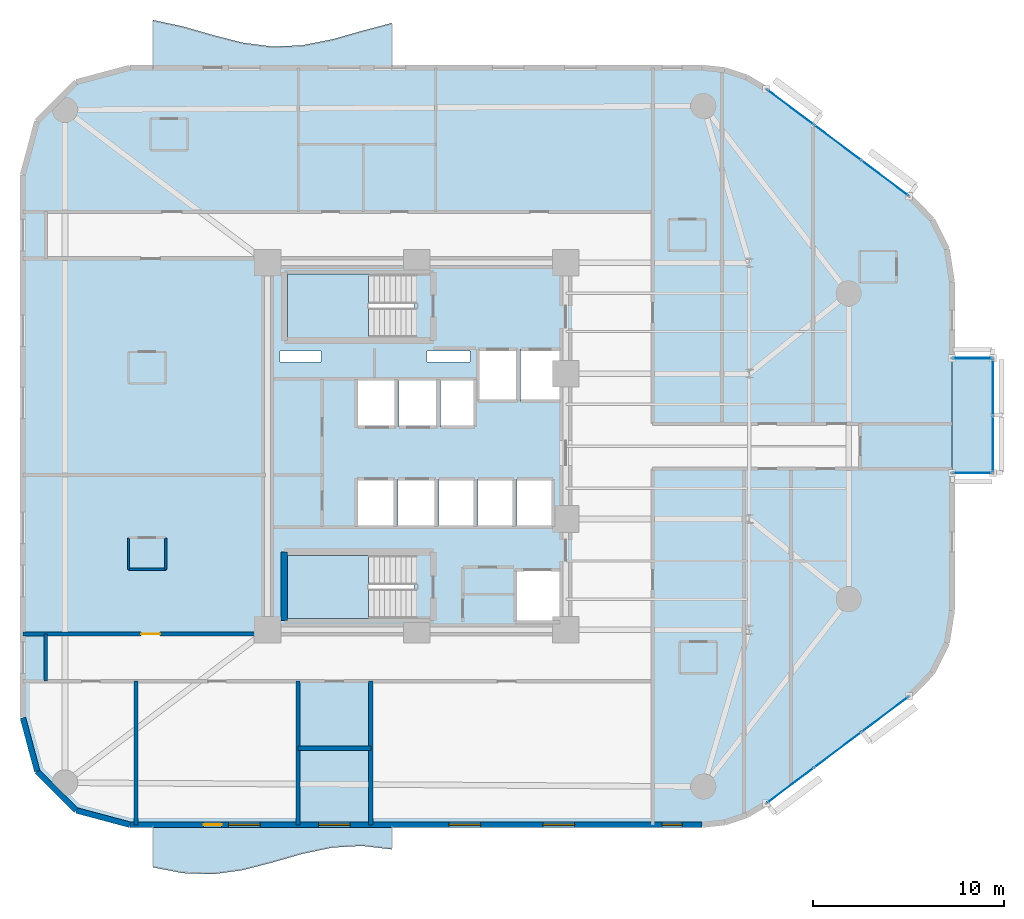
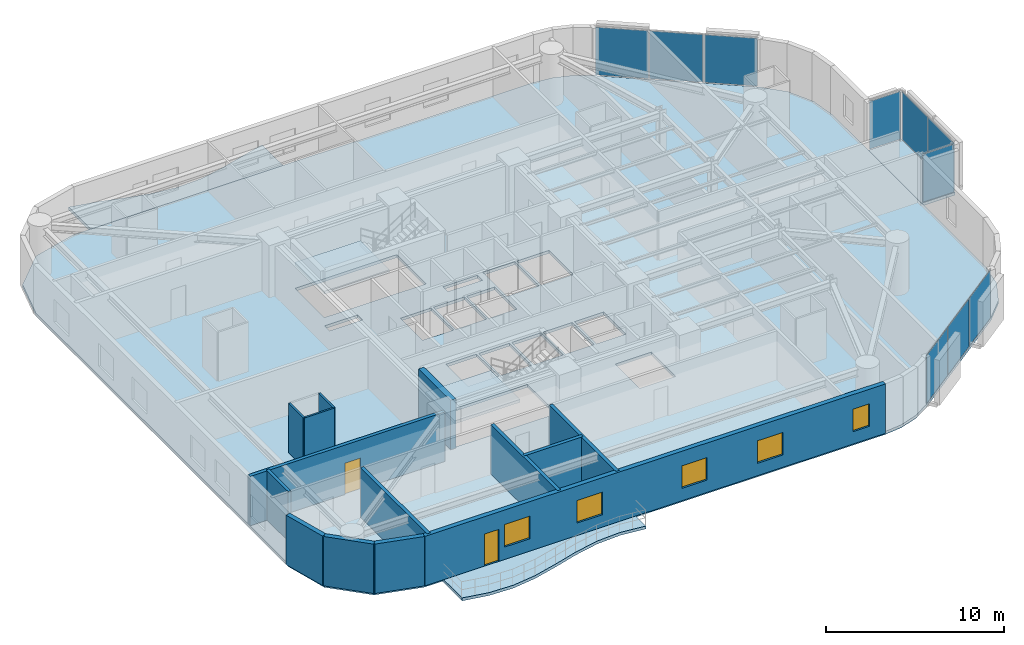
# One storey, part 7 of 14: 14 walls, 10 plates, 6 slabs, 5 windows, 2 doors, 7 openings, 7 elements without a shape of their own.
"""IFC4 building model written with IfcOpenShell, lengths in metres."""

import ifcopenshell
import ifcopenshell.guid

model = None  # the IFC model being written
_history = None  # IfcOwnerHistory: only IFC2X3 demands one
_inside = {}  # id of a spatial element -> (the spatial element, [elements in it])
_under = {}  # id of a project, library or spatial element -> (it, [spatial elements below it])
_declared = {}  # id of a project -> (the project, [libraries it declares])
_typed = {}  # id of a type object -> (the type object, [elements of that type])
_made_of = {}  # id of a material, layer set ... -> (it, [elements and type objects made of it])


def new_model(schema):
    """Start an empty IFC model of exactly this schema.

    Asked for "IFC4X3", IfcOpenShell would pick the latest addendum, in which some entities
    have other attributes; the version numbers below select the first issue.
    IFC2X3 requires an IfcOwnerHistory on every rooted entity: one is made here for all.
    """
    global model, _history
    if schema == "IFC4X3":
        model = ifcopenshell.file(schema_version=(4, 3, 0, 0))
    else:
        model = ifcopenshell.file(schema=schema)
    _inside.clear()
    _under.clear()
    _declared.clear()
    _typed.clear()
    _made_of.clear()
    _history = None
    if model.schema == "IFC2X3":
        org = make("IfcOrganization", Name="unknown")
        user = make(
            "IfcPersonAndOrganization",
            ThePerson=make("IfcPerson", FamilyName="unknown"),
            TheOrganization=org,
        )
        app = make(
            "IfcApplication",
            ApplicationDeveloper=org,
            Version="unknown",
            ApplicationFullName="unknown",
            ApplicationIdentifier="unknown",
        )
        _history = make(
            "IfcOwnerHistory",
            OwningUser=user,
            OwningApplication=app,
            ChangeAction="ADDED",
            CreationDate=0,
        )
    return model


def make(cls, **values):
    """One entity of the class cls with the attributes given. An attribute that is None is left unset."""
    return model.create_entity(
        cls, **{name: value for name, value in values.items() if value is not None}
    )


def rooted(cls, **values):
    """An entity with a GlobalId (a new one), such as an element, a storey or a relation."""
    return make(cls, GlobalId=ifcopenshell.guid.new(), OwnerHistory=_history, **values)


def si_unit(unit_type, name, prefix=None):
    """IfcSIUnit, for example si_unit("LENGTHUNIT", "METRE", prefix="MILLI")."""
    return make("IfcSIUnit", UnitType=unit_type, Prefix=prefix, Name=name)


def assignment(units):
    """IfcUnitAssignment: the units of a project."""
    return None if units is None else make("IfcUnitAssignment", Units=units)


def point(xyz):
    """IfcCartesianPoint."""
    return None if xyz is None else make("IfcCartesianPoint", Coordinates=xyz)


def direction(xyz):
    """IfcDirection."""
    return None if xyz is None else make("IfcDirection", DirectionRatios=xyz)


def frame(location, z_axis=None, x_axis=None):
    """IfcAxis2Placement3D, a coordinate frame: its origin and axes. An axis left out is left unset."""
    return make(
        "IfcAxis2Placement3D",
        Location=point(location),
        Axis=direction(z_axis),
        RefDirection=direction(x_axis),
    )


def frame_2d(location, x_axis=None):
    """IfcAxis2Placement2D, a coordinate frame in the plane: its origin and x axis."""
    return make(
        "IfcAxis2Placement2D", Location=point(location), RefDirection=direction(x_axis)
    )


def origin():
    """The frame at (0, 0, 0) with its axes left unset."""
    return frame((0.0, 0.0, 0.0))


def origin_2d():
    """The frame at (0, 0) in the plane with its x axis left unset."""
    return frame_2d((0.0, 0.0))


def place(relative_to, where):
    """IfcLocalPlacement: puts the frame where relative to a parent placement (None: the world)."""
    return make(
        "IfcLocalPlacement", PlacementRelTo=relative_to, RelativePlacement=where
    )


def context(
    kind, dimensions, precision=None, world=None, true_north=None, identifier=None
):
    """IfcGeometricRepresentationContext, for example the 3D "Model" context."""
    return make(
        "IfcGeometricRepresentationContext",
        ContextIdentifier=identifier,
        ContextType=kind,
        CoordinateSpaceDimension=dimensions,
        Precision=precision,
        WorldCoordinateSystem=world,
        TrueNorth=true_north,
    )


def subcontext(parent, identifier, kind, view, scale=None):
    """IfcGeometricRepresentationSubContext, for example "Body" below "Model"."""
    return make(
        "IfcGeometricRepresentationSubContext",
        ContextIdentifier=identifier,
        ContextType=kind,
        ParentContext=parent,
        TargetScale=scale,
        TargetView=view,
    )


def project(units=None, contexts=None):
    """IfcProject with its units and contexts."""
    return rooted(
        "IfcProject",
        Name="project",
        RepresentationContexts=contexts,
        UnitsInContext=assignment(units),
    )


def spatial(cls, under=None, at=None, **own):
    """A site, building, storey or space (cls), placed at a placement, below another one or the project."""
    s = rooted(cls, ObjectPlacement=at, **own)
    if under is not None:
        _under.setdefault(under.id(), (under, []))[1].append(s)
    return s


def polyline(points):
    """IfcPolyline through the points."""
    return make("IfcPolyline", Points=[point(p) for p in points])


def profile(cls, at=None, kind="AREA", **sizes):
    """A parametric profile (cls). Its sizes go by their IFC names, for example OverallWidth=200.0."""
    return make(cls, ProfileType=kind, Position=at, **sizes)


def rectangle(**sizes):
    """IfcRectangleProfileDef."""
    return profile("IfcRectangleProfileDef", **sizes)


def outline(outer, holes=None, kind="AREA"):
    """IfcArbitraryClosedProfileDef: a profile drawn as a closed curve; with holes, ...WithVoids."""
    if holes is None:
        return make("IfcArbitraryClosedProfileDef", ProfileType=kind, OuterCurve=outer)
    return make(
        "IfcArbitraryProfileDefWithVoids",
        ProfileType=kind,
        OuterCurve=outer,
        InnerCurves=holes,
    )


def extrude(swept, where, along, depth):
    """IfcExtrudedAreaSolid: the profile swept, set in the frame where, extruded along a direction by depth."""
    return make(
        "IfcExtrudedAreaSolid",
        SweptArea=swept,
        Position=where,
        ExtrudedDirection=direction(along),
        Depth=depth,
    )


def shape(context_of_items, identifier, shape_type, items):
    """IfcShapeRepresentation: the items that make up one representation, for example the "Body"."""
    return make(
        "IfcShapeRepresentation",
        ContextOfItems=context_of_items,
        RepresentationIdentifier=identifier,
        RepresentationType=shape_type,
        Items=items,
    )


def material(Name=None, Category=None):
    """IfcMaterial."""
    return make("IfcMaterial", Name=Name, Category=Category)


def layer(
    of_material, thickness, ventilated=None, Name=None, Category=None, Priority=None
):
    """IfcMaterialLayer: one layer of a wall or slab, of a material (None: an air gap)."""
    return make(
        "IfcMaterialLayer",
        Material=of_material,
        LayerThickness=thickness,
        IsVentilated=ventilated,
        Name=Name,
        Category=Category,
        Priority=Priority,
    )


def layer_set(layers, Name=None):
    """IfcMaterialLayerSet."""
    return make("IfcMaterialLayerSet", MaterialLayers=layers, LayerSetName=Name)


def made_of(thing, what):
    """Note that an element or type object is made of a material, layer set ...; save() writes the relation."""
    if what is not None:
        _made_of.setdefault(what.id(), (what, []))[1].append(thing)
    return thing


def type_object(cls, material=None, **own):
    """A type object (cls), such as IfcWallType, which elements share."""
    return made_of(rooted(cls, **own), material)


def element(
    cls,
    number,
    at=None,
    inside=None,
    cuts=None,
    type_object=None,
    material=None,
    context=None,
    identifier="Body",
    shape_type=None,
    held_by="IfcProductDefinitionShape",
    body=None,
    shapes=None,
    **own,
):
    """One element of the class cls, such as IfcWall. Its Tag is "e" and its number.

    at: its placement. inside: the storey or other place that contains it. cuts: it is an
    opening in that element (IfcRelVoidsElement). A single representation is given by context,
    identifier, shape_type and body (its items); several are given by shapes. held_by: the class
    of the entity that holds the representations. save() writes the other relations.
    """
    e = rooted(cls, Tag="e%d" % number, ObjectPlacement=at, **own)
    if body is not None:
        shapes = [shape(context, identifier, shape_type, body)]
    if shapes is not None:
        e.Representation = make(held_by, Representations=shapes)
    if inside is not None:
        _inside.setdefault(inside.id(), (inside, []))[1].append(e)
    if cuts is not None:
        rooted(
            "IfcRelVoidsElement", RelatingBuildingElement=cuts, RelatedOpeningElement=e
        )
    if type_object is not None:
        _typed.setdefault(type_object.id(), (type_object, []))[1].append(e)
    return made_of(e, material)


def fill(opening, filler):
    """IfcRelFillsElement: the door or window that sits in an opening."""
    return rooted(
        "IfcRelFillsElement",
        RelatingOpeningElement=opening,
        RelatedBuildingElement=filler,
    )


def aggregate(whole, parts):
    """IfcRelAggregates: a whole, such as a stair, and the parts it consists of."""
    return rooted("IfcRelAggregates", RelatingObject=whole, RelatedObjects=parts)


def save(model, path):
    """Write the relations noted so far, then the file.

    IfcRelAggregates (storeys below a building ...), IfcRelContainedInSpatialStructure (elements
    in a storey), IfcRelDefinesByType, IfcRelAssociatesMaterial and IfcRelDeclares: one each for
    every whole, place, type object, material and project.
    """
    for whole, parts in _under.values():
        aggregate(whole, parts)
    for where, things in _inside.values():
        rooted(
            "IfcRelContainedInSpatialStructure",
            RelatedElements=things,
            RelatingStructure=where,
        )
    for kind, things in _typed.values():
        rooted("IfcRelDefinesByType", RelatedObjects=things, RelatingType=kind)
    for what, things in _made_of.values():
        rooted("IfcRelAssociatesMaterial", RelatedObjects=things, RelatingMaterial=what)
    for by, libraries in _declared.values():
        rooted("IfcRelDeclares", RelatingContext=by, RelatedDefinitions=libraries)
    model.write(path)


model = new_model("IFC4")

# Units and contexts
model_context = context("Model", 3, precision=1e-05, world=origin(), true_north=direction((0.0, 1.0)))
body_context = subcontext(model_context, "Body", "Model", "MODEL_VIEW")
ifc_project = project(units=[si_unit("LENGTHUNIT", "METRE"), si_unit("AREAUNIT", "SQUARE_METRE"), si_unit("VOLUMEUNIT", "CUBIC_METRE"), si_unit("PLANEANGLEUNIT", "RADIAN"), si_unit("MASSUNIT", "GRAM", prefix="KILO")], contexts=[model_context])

# Site, building, storey
site_placement = place(None, origin())
site = spatial("IfcSite", under=ifc_project, at=site_placement, CompositionType="ELEMENT")
building_placement = place(site_placement, origin())
building = spatial("IfcBuilding", under=site, at=building_placement, Name="An Khanh Terracotta Commons", CompositionType="ELEMENT")
storey_placement = place(building_placement, frame((0.0, 0.0, 93.5)))
storey = spatial("IfcBuildingStorey", under=building, at=storey_placement, Name="L24", CompositionType="ELEMENT", Elevation=93.5)

# Curtain wall, plates
ifc_material_1 = material(Name="Anodised Aluminium 6063-T6", Category="aluminium")
ifc_layer_1 = layer(ifc_material_1, 0.199951171875, Name="Anodised Aluminium 6063-T6")
ifc_layer_set_1 = layer_set([ifc_layer_1], Name="Anodised Aluminium 6063-T6")
curtain_wall_type_1 = type_object("IfcCurtainWallType", Name="CW-SYS-02", PredefinedType="USERDEFINED", material=ifc_layer_set_1)
curtain_wall_1_placement = place(storey_placement, origin())
curtain_wall_1 = element("IfcCurtainWall", 1, at=curtain_wall_1_placement, inside=storey, type_object=curtain_wall_type_1, Name="L24 CW-02 Unitised Curtain Wall CW-L24-08", ObjectType="UNITISED CURTAIN WALL", PredefinedType="USERDEFINED")
ifc_material_2 = material(Name="Double Low-E Solar Control Glazing", Category="glass")
ifc_layer_2 = layer(ifc_material_2, 0.028076171875, Name="Double Low-E Solar Control Glazing")
ifc_layer_set_2 = layer_set([ifc_layer_2], Name="Double Low-E Solar Control Glazing")
plate_type_1 = type_object("IfcPlateType", Name="CWP-IGU-28", PredefinedType="CURTAIN_PANEL", material=ifc_layer_set_2)
plate_1_placement = place(storey_placement, frame((48.951416015625, 6.263916015625, 0.06005859375), z_axis=(0.0, 0.0, 1.0), x_axis=(0.800012856594, 0.599982857492, 0.0)))
plate_1 = element("IfcPlate", 2, at=plate_1_placement, type_object=plate_type_1, Name="CW-02 panel 1.1", PredefinedType="CURTAIN_PANEL", context=body_context, shape_type="SweptSolid", body=[
    extrude(rectangle(XDim=3.006103515625, YDim=0.028076171875, at=origin_2d()), origin(), (0.0, 0.0, 1.0), 3.280029296875),
])
plate_2_placement = place(storey_placement, frame((51.426513671875, 8.1201171875, 0.06005859375), z_axis=(0.0, 0.0, 1.0), x_axis=(0.800012856594, 0.599982857492, 0.0)))
plate_2 = element("IfcPlate", 3, at=plate_2_placement, type_object=plate_type_1, Name="CW-02 panel 2.1", PredefinedType="CURTAIN_PANEL", context=body_context, shape_type="SweptSolid", body=[
    extrude(rectangle(XDim=3.041259765625, YDim=0.028076171875, at=origin_2d()), origin(), (0.0, 0.0, 1.0), 3.280029296875),
])
plate_3_placement = place(storey_placement, frame((53.901611328125, 9.97607421875, 0.06005859375), z_axis=(0.0, 0.0, 1.0), x_axis=(0.800012856594, 0.599982857492, 0.0)))
plate_3 = element("IfcPlate", 4, at=plate_3_placement, type_object=plate_type_1, Name="CW-02 panel 3.1", PredefinedType="CURTAIN_PANEL", context=body_context, shape_type="SweptSolid", body=[
    extrude(rectangle(XDim=3.006103515625, YDim=0.028076171875, at=origin_2d()), origin(), (0.0, 0.0, 1.0), 3.280029296875),
])
aggregate(curtain_wall_1, [plate_1, plate_2, plate_3])

curtain_wall_2_placement = place(storey_placement, origin())
curtain_wall_2 = element("IfcCurtainWall", 5, at=curtain_wall_2_placement, inside=storey, type_object=curtain_wall_type_1, Name="L24 CW-02 Unitised Curtain Wall CW-L24-16", ObjectType="UNITISED CURTAIN WALL", PredefinedType="USERDEFINED")
plate_4_placement = place(storey_placement, frame((53.901611328125, 38.02392578125, 0.06005859375), z_axis=(0.0, 0.0, 1.0), x_axis=(-0.800012856594, 0.599982857492, 0.0)))
plate_4 = element("IfcPlate", 6, at=plate_4_placement, type_object=plate_type_1, Name="CW-02 panel 1.1", PredefinedType="CURTAIN_PANEL", context=body_context, shape_type="SweptSolid", body=[
    extrude(rectangle(XDim=3.006103515625, YDim=0.028076171875, at=origin_2d()), origin(), (0.0, 0.0, 1.0), 3.280029296875),
])
plate_5_placement = place(storey_placement, frame((51.426513671875, 39.8798828125, 0.06005859375), z_axis=(0.0, 0.0, 1.0), x_axis=(-0.800012856594, 0.599982857492, 0.0)))
plate_5 = element("IfcPlate", 7, at=plate_5_placement, type_object=plate_type_1, Name="CW-02 panel 2.1", PredefinedType="CURTAIN_PANEL", context=body_context, shape_type="SweptSolid", body=[
    extrude(rectangle(XDim=3.041259765625, YDim=0.028076171875, at=origin_2d()), origin(), (0.0, 0.0, 1.0), 3.280029296875),
])
plate_6_placement = place(storey_placement, frame((48.951416015625, 41.736083984375, 0.06005859375), z_axis=(0.0, 0.0, 1.0), x_axis=(-0.800012856594, 0.599982857492, 0.0)))
plate_6 = element("IfcPlate", 8, at=plate_6_placement, type_object=plate_type_1, Name="CW-02 panel 3.1", PredefinedType="CURTAIN_PANEL", context=body_context, shape_type="SweptSolid", body=[
    extrude(rectangle(XDim=3.006103515625, YDim=0.028076171875, at=origin_2d()), origin(), (0.0, 0.0, 1.0), 3.280029296875),
])
aggregate(curtain_wall_2, [plate_4, plate_5, plate_6])

ifc_layer_3 = layer(ifc_material_1, 0.239990234375, Name="Anodised Aluminium 6063-T6")
ifc_layer_set_3 = layer_set([ifc_layer_3], Name="Anodised Aluminium 6063-T6")
curtain_wall_type_2 = type_object("IfcCurtainWallType", Name="CW-SYS-04", PredefinedType="USERDEFINED", material=ifc_layer_set_3)
curtain_wall_3_placement = place(storey_placement, origin())
curtain_wall_3 = element("IfcCurtainWall", 9, at=curtain_wall_3_placement, inside=storey, type_object=curtain_wall_type_2, Name="L24 CW-04 Unitised Curtain Wall CW-L24-EBOX-1", ObjectType="UNITISED CURTAIN WALL", PredefinedType="USERDEFINED")
ifc_material_3 = material(Name="Triple-Silver Sky-Lobby Glazing", Category="glass")
ifc_layer_4 = layer(ifc_material_3, 0.0400390625, Name="Triple-Silver Sky-Lobby Glazing")
ifc_layer_set_4 = layer_set([ifc_layer_4], Name="Triple-Silver Sky-Lobby Glazing")
plate_type_2 = type_object("IfcPlateType", Name="CWP-IGU-40", PredefinedType="CURTAIN_PANEL", material=ifc_layer_set_4)
plate_7_placement = place(storey_placement, frame((59.550048828125, 24.1162109375, 0.06005859375), z_axis=(0.0, 0.0, 1.0), x_axis=(0.0, 1.0, 0.0)))
plate_7 = element("IfcPlate", 10, at=plate_7_placement, type_object=plate_type_2, Name="CW-04 panel 1.1", PredefinedType="CURTAIN_PANEL", context=body_context, shape_type="SweptSolid", body=[
    extrude(rectangle(XDim=2.902587890625, YDim=0.0400390625, at=origin_2d()), origin(), (0.0, 0.0, 1.0), 3.280029296875),
])
plate_8_placement = place(storey_placement, frame((59.550048828125, 27.083740234375, 0.06005859375), z_axis=(0.0, 0.0, 1.0), x_axis=(0.0, 1.0, 0.0)))
plate_8 = element("IfcPlate", 11, at=plate_8_placement, type_object=plate_type_2, Name="CW-04 panel 2.1", PredefinedType="CURTAIN_PANEL", context=body_context, shape_type="SweptSolid", body=[
    extrude(rectangle(XDim=2.902587890625, YDim=0.0400390625, at=origin_2d()), origin(), (0.0, 0.0, 1.0), 3.280029296875),
])
aggregate(curtain_wall_3, [plate_7, plate_8])

# Curtain wall, plate
curtain_wall_4_placement = place(storey_placement, origin())
curtain_wall_4 = element("IfcCurtainWall", 12, at=curtain_wall_4_placement, inside=storey, type_object=curtain_wall_type_2, Name="L24 CW-04 Unitised Curtain Wall CW-L24-EBOX-2", ObjectType="UNITISED CURTAIN WALL", PredefinedType="USERDEFINED")
plate_9_placement = place(storey_placement, frame((58.47509765625, 22.60009765625, 0.06005859375), z_axis=(0.0, 0.0, 1.0), x_axis=(1.0, 0.0, 0.0)))
plate_9 = element("IfcPlate", 13, at=plate_9_placement, type_object=plate_type_2, Name="CW-04 panel 1.1", PredefinedType="CURTAIN_PANEL", context=body_context, shape_type="SweptSolid", body=[
    extrude(rectangle(XDim=2.02001953125, YDim=0.0400390625, at=origin_2d()), origin(), (0.0, 0.0, 1.0), 3.280029296875),
])
aggregate(curtain_wall_4, [plate_9])

curtain_wall_5_placement = place(storey_placement, origin())
curtain_wall_5 = element("IfcCurtainWall", 14, at=curtain_wall_5_placement, inside=storey, type_object=curtain_wall_type_2, Name="L24 CW-04 Unitised Curtain Wall CW-L24-EBOX-3", ObjectType="UNITISED CURTAIN WALL", PredefinedType="USERDEFINED")
plate_10_placement = place(storey_placement, frame((58.47509765625, 28.60009765625, 0.06005859375), z_axis=(0.0, 0.0, 1.0), x_axis=(-1.0, 0.0, 0.0)))
plate_10 = element("IfcPlate", 15, at=plate_10_placement, type_object=plate_type_2, Name="CW-04 panel 1.1", PredefinedType="CURTAIN_PANEL", context=body_context, shape_type="SweptSolid", body=[
    extrude(rectangle(XDim=2.02001953125, YDim=0.0400390625, at=origin_2d()), origin(), (0.0, 0.0, 1.0), 3.280029296875),
])
aggregate(curtain_wall_5, [plate_10])

# Slabs
ifc_material_4 = material(Name="Concrete C40/50", Category="concrete")
ifc_layer_5 = layer(ifc_material_4, 0.199951171875, Name="Concrete C40/50")
ifc_layer_set_5 = layer_set([ifc_layer_5], Name="Concrete C40/50")
slab_type_1 = type_object("IfcSlabType", Name="SLAB-BALC-200", PredefinedType="FLOOR", material=ifc_layer_set_5)
slab_1_placement = place(storey_placement, frame((0.0, 0.0, -0.199951171875)))
element("IfcSlab", 16, at=slab_1_placement, inside=storey, type_object=slab_type_1, Name="L24 S Sinusoidal Wave Balcony Slab", PredefinedType="FLOOR", context=body_context, shape_type="SweptSolid", body=[
    extrude(outline(polyline([(15.60009765625, 4.199951171875), (15.60009765625, 1.97509765625), (17.1630859375, 1.6689453125), (18.72509765625, 1.612060546875), (20.2880859375, 1.823974609375), (21.85009765625, 2.22802734375), (23.4130859375, 2.676025390625), (24.97509765625, 3.006103515625), (26.5380859375, 3.095947265625), (28.10009765625, 2.9140625), (28.10009765625, 4.199951171875), (15.60009765625, 4.199951171875)])), origin(), (0.0, 0.0, 1.0), 0.199951171875),
])
slab_2_placement = place(storey_placement, frame((0.0, 0.0, -0.199951171875)))
element("IfcSlab", 17, at=slab_2_placement, inside=storey, type_object=slab_type_1, Name="L24 N Sinusoidal Wave Balcony Slab", PredefinedType="FLOOR", context=body_context, shape_type="SweptSolid", body=[
    extrude(outline(polyline([(28.10009765625, 43.800048828125), (28.10009765625, 46.14501953125), (26.5380859375, 45.72998046875), (24.97509765625, 45.285888671875), (23.4130859375, 44.97509765625), (21.85009765625, 44.909912109375), (20.2880859375, 45.114990234375), (18.72509765625, 45.51611328125), (17.1630859375, 45.965087890625), (15.60009765625, 46.300048828125), (15.60009765625, 43.800048828125), (28.10009765625, 43.800048828125)])), origin(), (0.0, 0.0, 1.0), 0.199951171875),
])

# Stair, slab
ifc_material_5 = material(Name="Precast concrete C40/50", Category="concrete")
stair_type = type_object("IfcStairType", Name="STAIR-CORE-1550", PredefinedType="HALF_TURN_STAIR", material=ifc_material_5)
stair_1_placement = place(storey_placement, origin())
stair_1 = element("IfcStair", 18, at=stair_1_placement, inside=storey, type_object=stair_type, Name="L24 Core Smokeproof Exit Stair ST-01", PredefinedType="HALF_TURN_STAIR")
ifc_layer_6 = layer(ifc_material_4, 0.18994140625, Name="Concrete C40/50")
ifc_layer_set_6 = layer_set([ifc_layer_6], Name="Concrete C40/50")
slab_type_2 = type_object("IfcSlabType", Name="SLAB-LANDING-190", PredefinedType="LANDING", material=ifc_layer_set_6)
slab_3_placement = place(storey_placement, frame((0.0, 0.0, 1.60009765625)))
slab_3 = element("IfcSlab", 19, at=slab_3_placement, type_object=slab_type_2, Name="ST-01 landing 1", PredefinedType="LANDING", context=body_context, shape_type="SweptSolid", body=[
    extrude(outline(polyline([(26.889892578125, 33.0), (22.64990234375, 33.0), (22.64990234375, 29.699951171875), (26.889892578125, 29.699951171875), (26.889892578125, 33.0)])), origin(), (0.0, 0.0, 1.0), 0.199951171875),
])
aggregate(stair_1, [slab_3])

stair_2_placement = place(storey_placement, origin())
stair_2 = element("IfcStair", 20, at=stair_2_placement, inside=storey, type_object=stair_type, Name="L24 Core Smokeproof Exit Stair ST-02", PredefinedType="HALF_TURN_STAIR")
slab_4_placement = place(storey_placement, frame((0.0, 0.0, 1.60009765625)))
slab_4 = element("IfcSlab", 21, at=slab_4_placement, type_object=slab_type_2, Name="ST-02 landing 1", PredefinedType="LANDING", context=body_context, shape_type="SweptSolid", body=[
    extrude(outline(polyline([(26.889892578125, 18.300048828125), (22.64990234375, 18.300048828125), (22.64990234375, 15.0), (26.889892578125, 15.0), (26.889892578125, 18.300048828125)])), origin(), (0.0, 0.0, 1.0), 0.199951171875),
])
aggregate(stair_2, [slab_4])

# Slabs
ifc_layer_7 = layer(ifc_material_4, 0.199951171875, Name="Concrete C40/50")
ifc_layer_set_7 = layer_set([ifc_layer_7], Name="Concrete C40/50")
slab_type_3 = type_object("IfcSlabType", Name="SLAB-TYP-200", PredefinedType="FLOOR", material=ifc_layer_set_7)
slab_5_placement = place(storey_placement, frame((0.0, 0.0, -0.199951171875)))
element("IfcSlab", 22, at=slab_5_placement, inside=storey, type_object=slab_type_3, Name="L24 Structural Floor Slab", PredefinedType="FLOOR", context=body_context, shape_type="SweptSolid", body=[
    extrude(outline(polyline([(8.800048828125, 9.800048828125), (9.550048828125, 7.0), (11.60009765625, 4.949951171875), (14.39990234375, 4.199951171875), (44.3330078125, 4.199951171875), (45.52490234375, 4.327880859375), (46.6630859375, 4.70703125), (47.693115234375, 5.320068359375), (55.159912109375, 10.919921875), (56.364013671875, 12.154052734375), (57.135009765625, 13.696044921875), (57.39990234375, 15.39990234375), (57.39990234375, 32.60009765625), (57.135009765625, 34.303955078125), (56.364013671875, 35.845947265625), (55.159912109375, 37.080078125), (47.693115234375, 42.679931640625), (46.6630859375, 43.29296875), (45.52490234375, 43.672119140625), (44.3330078125, 43.800048828125), (14.39990234375, 43.800048828125), (11.60009765625, 43.050048828125), (9.550048828125, 41.0), (8.800048828125, 38.199951171875), (8.800048828125, 9.800048828125)]), holes=[polyline([(22.64990234375, 29.699951171875), (29.27001953125, 29.699951171875), (29.27001953125, 33.0), (22.64990234375, 33.0), (22.64990234375, 29.699951171875)]), polyline([(22.64990234375, 15.0), (29.27001953125, 15.0), (29.27001953125, 18.300048828125), (22.64990234375, 18.300048828125), (22.64990234375, 15.0)]), polyline([(32.60009765625, 26.35009765625), (34.679931640625, 26.35009765625), (34.679931640625, 29.080078125), (32.60009765625, 29.080078125), (32.60009765625, 26.35009765625)]), polyline([(34.820068359375, 26.35009765625), (36.89990234375, 26.35009765625), (36.89990234375, 29.080078125), (34.820068359375, 29.080078125), (34.820068359375, 26.35009765625)]), polyline([(34.550048828125, 14.800048828125), (36.89990234375, 14.800048828125), (36.89990234375, 17.550048828125), (34.550048828125, 17.550048828125), (34.550048828125, 14.800048828125)]), polyline([(26.320068359375, 25.0), (28.340087890625, 25.0), (28.340087890625, 27.5), (26.320068359375, 27.5), (26.320068359375, 25.0)]), polyline([(28.47998046875, 25.0), (30.5, 25.0), (30.5, 27.5), (28.47998046875, 27.5), (28.47998046875, 25.0)]), polyline([(26.280029296875, 19.800048828125), (28.280029296875, 19.800048828125), (28.280029296875, 22.300048828125), (26.280029296875, 22.300048828125), (26.280029296875, 19.800048828125)]), polyline([(28.419921875, 19.800048828125), (30.419921875, 19.800048828125), (30.419921875, 22.300048828125), (28.419921875, 22.300048828125), (28.419921875, 19.800048828125)]), polyline([(30.639892578125, 25.0), (32.4599609375, 25.0), (32.4599609375, 27.5), (30.639892578125, 27.5), (30.639892578125, 25.0)]), polyline([(30.56005859375, 19.800048828125), (32.4599609375, 19.800048828125), (32.4599609375, 22.300048828125), (30.56005859375, 22.300048828125), (30.56005859375, 19.800048828125)]), polyline([(32.60009765625, 19.800048828125), (34.5, 19.800048828125), (34.5, 22.300048828125), (32.60009765625, 22.300048828125), (32.60009765625, 19.800048828125)]), polyline([(34.639892578125, 19.800048828125), (36.5400390625, 19.800048828125), (36.5400390625, 22.300048828125), (34.639892578125, 22.300048828125), (34.639892578125, 19.800048828125)]), polyline([(22.25, 28.419921875), (24.39990234375, 28.419921875), (24.39990234375, 28.97998046875), (22.25, 28.97998046875), (22.25, 28.419921875)]), polyline([(29.949951171875, 28.419921875), (32.199951171875, 28.419921875), (32.199951171875, 28.97998046875), (29.949951171875, 28.97998046875), (29.949951171875, 28.419921875)])]), origin(), (0.0, 0.0, 1.0), 0.199951171875),
])
slab_6_placement = place(storey_placement, frame((0.0, 0.0, -0.199951171875)))
element("IfcSlab", 23, at=slab_6_placement, inside=storey, type_object=slab_type_3, Name="L24 Shifted Social Kitchen Box Floor Slab", PredefinedType="FLOOR", context=body_context, shape_type="SweptSolid", body=[
    extrude(outline(polyline([(57.39990234375, 22.60009765625), (59.550048828125, 22.60009765625), (59.550048828125, 28.60009765625), (57.39990234375, 28.60009765625), (57.39990234375, 22.60009765625)])), origin(), (0.0, 0.0, 1.0), 0.199951171875),
])

# Walls
ifc_material_6 = material(Name="Fire-Rated Gypsum Board on Steel Stud", Category="steel")
ifc_layer_8 = layer(ifc_material_6, 0.179931640625, Name="Fire-Rated Gypsum Board on Steel Stud")
ifc_layer_set_8 = layer_set([ifc_layer_8], Name="Fire-Rated Gypsum Board on Steel Stud")
wall_type_1 = type_object("IfcWallType", Name="WALL-CORR-180", PredefinedType="PARTITIONING", material=ifc_layer_set_8)
wall_1_placement = place(storey_placement, frame((10.0, 11.719970703125, 0.0), z_axis=(0.0, 0.0, 1.0), x_axis=(0.0, 1.0, 0.0)))
element("IfcWall", 24, at=wall_1_placement, inside=storey, type_object=wall_type_1, Name="L24 Interior Partition IW-L24-E010", PredefinedType="PARTITIONING", context=body_context, shape_type="SweptSolid", body=[
    extrude(rectangle(XDim=2.4599609375, YDim=0.179931640625, at=frame_2d((1.22998046875, 0.0))), origin(), (0.0, 0.0, 1.0), 3.39990234375),
])
ifc_layer_9 = layer(ifc_material_5, 0.300048828125, Name="Precast concrete C40/50")
ifc_layer_set_9 = layer_set([ifc_layer_9], Name="Precast concrete C40/50")
wall_type_2 = type_object("IfcWallType", Name="WALL-EXT-300", PredefinedType="SOLIDWALL", material=ifc_layer_set_9)
wall_2_placement = place(storey_placement, frame((8.800048828125, 9.800048828125, 0.0), z_axis=(0.0, 0.0, 1.0), x_axis=(0.258731875344, -0.96594917914, 0.0)))
element("IfcWall", 25, at=wall_2_placement, inside=storey, type_object=wall_type_2, Name="L24 Insulated Terracotta Exterior Wall 1", PredefinedType="SOLIDWALL", context=body_context, shape_type="SweptSolid", body=[
    extrude(rectangle(XDim=2.898681640625, YDim=0.300048828125, at=frame_2d((1.44921875, 0.0))), origin(), (0.0, 0.0, 1.0), 3.39990234375),
])
wall_3_placement = place(storey_placement, frame((9.550048828125, 7.0, 0.0), z_axis=(0.0, 0.0, 1.0), x_axis=(0.707106781187, -0.707106781187, 0.0)))
element("IfcWall", 26, at=wall_3_placement, inside=storey, type_object=wall_type_2, Name="L24 Insulated Terracotta Exterior Wall 2", PredefinedType="SOLIDWALL", context=body_context, shape_type="SweptSolid", body=[
    extrude(rectangle(XDim=2.899169921875, YDim=0.300048828125, at=frame_2d((1.44970703125, 0.0))), origin(), (0.0, 0.0, 1.0), 3.39990234375),
])
wall_4_placement = place(storey_placement, frame((11.60009765625, 4.949951171875, 0.0), z_axis=(0.0, 0.0, 1.0), x_axis=(0.965943540406, -0.258752926066, 0.0)))
element("IfcWall", 27, at=wall_4_placement, inside=storey, type_object=wall_type_2, Name="L24 Insulated Terracotta Exterior Wall 3", PredefinedType="SOLIDWALL", context=body_context, shape_type="SweptSolid", body=[
    extrude(rectangle(XDim=2.8984375, YDim=0.300048828125, at=frame_2d((1.44921875, 0.0))), origin(), (0.0, 0.0, 1.0), 3.39990234375),
])

# Wall, openings, door, windows
wall_5_placement = place(storey_placement, frame((14.39990234375, 4.199951171875, 0.0), z_axis=(0.0, 0.0, 1.0), x_axis=(1.0, 0.0, 0.0)))
wall_5 = element("IfcWall", 28, at=wall_5_placement, inside=storey, type_object=wall_type_2, Name="L24 Insulated Terracotta Exterior Wall 4", PredefinedType="SOLIDWALL", context=body_context, shape_type="SweptSolid", body=[
    extrude(rectangle(XDim=29.93310546875, YDim=0.300048828125, at=frame_2d((14.966552734375, 0.0))), origin(), (0.0, 0.0, 1.0), 3.39990234375),
])
opening_1_placement = place(wall_5_placement, frame((3.85009765625, 0.0, 0.0)))
opening_1 = element("IfcOpeningElement", 29, at=opening_1_placement, cuts=wall_5, Name="Opening D-BAL", PredefinedType="OPENING", context=body_context, shape_type="SweptSolid", body=[
    extrude(rectangle(XDim=0.949951171875, YDim=2.199951171875, at=frame_2d((0.47509765625, 1.10009765625))), frame((0.0, 0.159912109375, 0.0), z_axis=(0.0, -1.0, 0.0), x_axis=(1.0, 0.0, 0.0)), (0.0, 0.0, 1.0), 0.320068359375),
])
opening_2_placement = place(wall_5_placement, frame((5.157958984375, 0.0, 0.85009765625)))
opening_2 = element("IfcOpeningElement", 30, at=opening_2_placement, cuts=wall_5, Name="Opening W-02", PredefinedType="OPENING", context=body_context, shape_type="SweptSolid", body=[
    extrude(rectangle(XDim=1.64990234375, YDim=1.550048828125, at=frame_2d((0.824951171875, 0.77490234375))), frame((0.0, 0.159912109375, 0.0), z_axis=(0.0, -1.0, 0.0), x_axis=(1.0, 0.0, 0.0)), (0.0, 0.0, 1.0), 0.320068359375),
])
opening_3_placement = place(wall_5_placement, frame((9.875, 0.0, 0.85009765625)))
opening_3 = element("IfcOpeningElement", 31, at=opening_3_placement, cuts=wall_5, Name="Opening W-02", PredefinedType="OPENING", context=body_context, shape_type="SweptSolid", body=[
    extrude(rectangle(XDim=1.64990234375, YDim=1.550048828125, at=frame_2d((0.824951171875, 0.77490234375))), frame((0.0, 0.159912109375, 0.0), z_axis=(0.0, -1.0, 0.0), x_axis=(1.0, 0.0, 0.0)), (0.0, 0.0, 1.0), 0.320068359375),
])
opening_4_placement = place(wall_5_placement, frame((16.69189453125, 0.0, 0.85009765625)))
opening_4 = element("IfcOpeningElement", 32, at=opening_4_placement, cuts=wall_5, Name="Opening W-02", PredefinedType="OPENING", context=body_context, shape_type="SweptSolid", body=[
    extrude(rectangle(XDim=1.64990234375, YDim=1.550048828125, at=frame_2d((0.824951171875, 0.77490234375))), frame((0.0, 0.159912109375, 0.0), z_axis=(0.0, -1.0, 0.0), x_axis=(1.0, 0.0, 0.0)), (0.0, 0.0, 1.0), 0.320068359375),
])
opening_5_placement = place(wall_5_placement, frame((21.60791015625, 0.0, 0.85009765625)))
opening_5 = element("IfcOpeningElement", 33, at=opening_5_placement, cuts=wall_5, Name="Opening W-02", PredefinedType="OPENING", context=body_context, shape_type="SweptSolid", body=[
    extrude(rectangle(XDim=1.64990234375, YDim=1.550048828125, at=frame_2d((0.824951171875, 0.77490234375))), frame((0.0, 0.159912109375, 0.0), z_axis=(0.0, -1.0, 0.0), x_axis=(1.0, 0.0, 0.0)), (0.0, 0.0, 1.0), 0.320068359375),
])
opening_6_placement = place(wall_5_placement, frame((27.8359375, 0.0, 0.85009765625)))
opening_6 = element("IfcOpeningElement", 34, at=opening_6_placement, cuts=wall_5, Name="Opening W-06", PredefinedType="OPENING", context=body_context, shape_type="SweptSolid", body=[
    extrude(rectangle(XDim=1.050048828125, YDim=1.550048828125, at=frame_2d((0.52490234375, 0.77490234375))), frame((0.0, 0.159912109375, 0.0), z_axis=(0.0, -1.0, 0.0), x_axis=(1.0, 0.0, 0.0)), (0.0, 0.0, 1.0), 0.320068359375),
])
ifc_material_7 = material(Name="Thermally Broken Aluminium and Low-E Glass", Category="aluminium")
door_type_1 = type_object("IfcDoorType", Name="DOOR-BALC-950", OperationType="NOTDEFINED", PredefinedType="DOOR", material=ifc_material_7)
door_1_placement = place(opening_1_placement, origin())
door_1 = element("IfcDoor", 35, at=door_1_placement, inside=storey, type_object=door_type_1, Name="L24 S Wave Balcony Glazed Door", OperationType="SINGLE_SWING_LEFT", OverallHeight=2.199951171875, OverallWidth=0.949951171875, PredefinedType="DOOR", context=body_context, shape_type="SweptSolid", body=[
    extrude(rectangle(XDim=0.949951171875, YDim=2.199951171875, at=frame_2d((0.47509765625, 1.10009765625))), frame((0.0, 0.02490234375, 0.0), z_axis=(0.0, -1.0, 0.0), x_axis=(1.0, 0.0, 0.0)), (0.0, 0.0, 1.0), 0.050048828125),
])
fill(opening_1, door_1)
window_type_1 = type_object("IfcWindowType", Name="WIN-COR-1050x1550", PartitioningType="SINGLE_PANEL", PredefinedType="WINDOW", material=ifc_material_7)
window_1_placement = place(opening_6_placement, origin())
window_1 = element("IfcWindow", 36, at=window_1_placement, inside=storey, type_object=window_type_1, Name="L24 L24-SB1 Dwelling Casement Window", OverallHeight=1.550048828125, OverallWidth=1.050048828125, PartitioningType="SINGLE_PANEL", PredefinedType="WINDOW", context=body_context, shape_type="SweptSolid", body=[
    extrude(rectangle(XDim=1.050048828125, YDim=1.550048828125, at=frame_2d((0.52490234375, 0.77490234375))), frame((0.0, 0.030029296875, 0.0), z_axis=(0.0, -1.0, 0.0), x_axis=(1.0, 0.0, 0.0)), (0.0, 0.0, 1.0), 0.06005859375),
])
fill(opening_6, window_1)
window_type_2 = type_object("IfcWindowType", Name="WIN-Z2-1650x1550", PartitioningType="DOUBLE_PANEL_VERTICAL", PredefinedType="WINDOW", material=ifc_material_7)
window_2_placement = place(opening_2_placement, origin())
window_2 = element("IfcWindow", 37, at=window_2_placement, inside=storey, type_object=window_type_2, Name="L24 Operable Casement Window 4.1", OverallHeight=1.550048828125, OverallWidth=1.64990234375, PartitioningType="DOUBLE_PANEL_VERTICAL", PredefinedType="WINDOW", context=body_context, shape_type="SweptSolid", body=[
    extrude(rectangle(XDim=1.64990234375, YDim=1.550048828125, at=frame_2d((0.824951171875, 0.77490234375))), frame((0.0, 0.030029296875, 0.0), z_axis=(0.0, -1.0, 0.0), x_axis=(1.0, 0.0, 0.0)), (0.0, 0.0, 1.0), 0.06005859375),
])
fill(opening_2, window_2)
window_3_placement = place(opening_3_placement, origin())
window_3 = element("IfcWindow", 38, at=window_3_placement, inside=storey, type_object=window_type_2, Name="L24 Operable Casement Window 4.2", OverallHeight=1.550048828125, OverallWidth=1.64990234375, PartitioningType="DOUBLE_PANEL_VERTICAL", PredefinedType="WINDOW", context=body_context, shape_type="SweptSolid", body=[
    extrude(rectangle(XDim=1.64990234375, YDim=1.550048828125, at=frame_2d((0.824951171875, 0.77490234375))), frame((0.0, 0.030029296875, 0.0), z_axis=(0.0, -1.0, 0.0), x_axis=(1.0, 0.0, 0.0)), (0.0, 0.0, 1.0), 0.06005859375),
])
fill(opening_3, window_3)
window_4_placement = place(opening_4_placement, origin())
window_4 = element("IfcWindow", 39, at=window_4_placement, inside=storey, type_object=window_type_2, Name="L24 Operable Casement Window 4.3", OverallHeight=1.550048828125, OverallWidth=1.64990234375, PartitioningType="DOUBLE_PANEL_VERTICAL", PredefinedType="WINDOW", context=body_context, shape_type="SweptSolid", body=[
    extrude(rectangle(XDim=1.64990234375, YDim=1.550048828125, at=frame_2d((0.824951171875, 0.77490234375))), frame((0.0, 0.030029296875, 0.0), z_axis=(0.0, -1.0, 0.0), x_axis=(1.0, 0.0, 0.0)), (0.0, 0.0, 1.0), 0.06005859375),
])
fill(opening_4, window_4)
window_5_placement = place(opening_5_placement, origin())
window_5 = element("IfcWindow", 40, at=window_5_placement, inside=storey, type_object=window_type_2, Name="L24 Operable Casement Window 4.4", OverallHeight=1.550048828125, OverallWidth=1.64990234375, PartitioningType="DOUBLE_PANEL_VERTICAL", PredefinedType="WINDOW", context=body_context, shape_type="SweptSolid", body=[
    extrude(rectangle(XDim=1.64990234375, YDim=1.550048828125, at=frame_2d((0.824951171875, 0.77490234375))), frame((0.0, 0.030029296875, 0.0), z_axis=(0.0, -1.0, 0.0), x_axis=(1.0, 0.0, 0.0)), (0.0, 0.0, 1.0), 0.06005859375),
])
fill(opening_5, window_5)

# Wall
ifc_material_8 = material(Name="Acoustic Double-Stud Gypsum and Mineral Wool")
ifc_layer_10 = layer(ifc_material_8, 0.219970703125, Name="Acoustic Double-Stud Gypsum and Mineral Wool")
ifc_layer_set_10 = layer_set([ifc_layer_10], Name="Acoustic Double-Stud Gypsum and Mineral Wool")
wall_type_3 = type_object("IfcWallType", Name="WALL-PARTY-220", PredefinedType="PARTITIONING", material=ifc_layer_set_10)
wall_6_placement = place(storey_placement, frame((23.199951171875, 8.199951171875, 0.0), z_axis=(0.0, 0.0, 1.0), x_axis=(1.0, 0.0, 0.0)))
element("IfcWall", 41, at=wall_6_placement, inside=storey, type_object=wall_type_3, Name="L24 Interior Partition IW-L24-E001", PredefinedType="PARTITIONING", context=body_context, shape_type="SweptSolid", body=[
    extrude(rectangle(XDim=3.800048828125, YDim=0.219970703125, at=frame_2d((1.89990234375, 0.0))), origin(), (0.0, 0.0, 1.0), 3.39990234375),
])

# Wall, opening, door
wall_7_placement = place(storey_placement, frame((8.800048828125, 14.179931640625, 0.0), z_axis=(0.0, 0.0, 1.0), x_axis=(1.0, 0.0, 0.0)))
wall_7 = element("IfcWall", 42, at=wall_7_placement, inside=storey, type_object=wall_type_3, Name="L24 Interior Partition IW-L24-E003", PredefinedType="PARTITIONING", context=body_context, shape_type="SweptSolid", body=[
    extrude(rectangle(XDim=12.679931640625, YDim=0.219970703125, at=frame_2d((6.33984375, 0.0))), origin(), (0.0, 0.0, 1.0), 3.39990234375),
])
opening_7_placement = place(wall_7_placement, frame((6.179931640625, 0.0, 0.0)))
opening_7 = element("IfcOpeningElement", 43, at=opening_7_placement, cuts=wall_7, Name="Opening D-UN", PredefinedType="OPENING", context=body_context, shape_type="SweptSolid", body=[
    extrude(rectangle(XDim=1.0, YDim=2.14990234375, at=frame_2d((0.5, 1.074951171875))), frame((0.0, 0.119873046875, 0.0), z_axis=(0.0, -1.0, 0.0), x_axis=(1.0, 0.0, 0.0)), (0.0, 0.0, 1.0), 0.239990234375),
])
ifc_material_9 = material(Name="Solid-Core Hardwood Acoustic Fire Door", Category="wood")
door_type_2 = type_object("IfcDoorType", Name="DOOR-UNIT-1000", OperationType="NOTDEFINED", PredefinedType="DOOR", material=ifc_material_9)
door_2_placement = place(opening_7_placement, origin())
door_2 = element("IfcDoor", 44, at=door_2_placement, inside=storey, type_object=door_type_2, Name="L24 WW1 Kitchenette and Studio Apartment Door", OperationType="SINGLE_SWING_RIGHT", OverallHeight=2.14990234375, OverallWidth=1.0, PredefinedType="DOOR", context=body_context, shape_type="SweptSolid", body=[
    extrude(rectangle(XDim=1.0, YDim=2.14990234375, at=frame_2d((0.5, 1.074951171875))), frame((0.0, 0.02490234375, 0.0), z_axis=(0.0, -1.0, 0.0), x_axis=(1.0, 0.0, 0.0)), (0.0, 0.0, 1.0), 0.050048828125),
])
fill(opening_7, door_2)

# Walls
for number, where, z_axis, x_axis, name in (
    (45, (14.721923828125, 4.199951171875, 0.0), (0.0, 0.0, 1.0), (0.0, 1.0, 0.0), "L24 Interior Partition IW-L24-E012"),
    (46, (23.199951171875, 4.199951171875, 0.0), (0.0, 0.0, 1.0), (0.0, 1.0, 0.0), "L24 Interior Partition IW-L24-E013"),
    (47, (27.0, 4.199951171875, 0.0), (0.0, 0.0, 1.0), (0.0, 1.0, 0.0), "L24 Interior Partition IW-L24-E016"),
):
    element("IfcWall", number, at=place(storey_placement, frame(where, z_axis=z_axis, x_axis=x_axis)), inside=storey, type_object=wall_type_3, Name=name, PredefinedType="PARTITIONING", context=body_context, shape_type="SweptSolid", body=[
        extrude(rectangle(XDim=7.52001953125, YDim=0.219970703125, at=frame_2d((3.760009765625, 0.0))), origin(), (0.0, 0.0, 1.0), 3.39990234375),
    ])
ifc_material_10 = material(Name="Concrete C50/60", Category="concrete")
ifc_layer_11 = layer(ifc_material_10, 0.35009765625, Name="Concrete C50/60")
ifc_layer_set_11 = layer_set([ifc_layer_11], Name="Concrete C50/60")
wall_type_4 = type_object("IfcWallType", Name="WALL-SHAFT-350", PredefinedType="SOLIDWALL", material=ifc_layer_set_11)
wall_8_placement = place(storey_placement, frame((22.47998046875, 14.889892578125, 0.0), z_axis=(0.0, 0.0, 1.0), x_axis=(0.0, 1.0, 0.0)))
element("IfcWall", 48, at=wall_8_placement, inside=storey, type_object=wall_type_4, Name="L24 Core Wall STW-L24-S-W", PredefinedType="SOLIDWALL", context=body_context, shape_type="SweptSolid", body=[
    extrude(rectangle(XDim=3.580078125, YDim=0.35009765625, at=frame_2d((1.7900390625, 0.0))), origin(), (0.0, 0.0, 1.0), 3.39990234375),
])
ifc_material_11 = material(Name="Moisture-Resistant Cement Board Partition")
ifc_layer_12 = layer(ifc_material_11, 0.1201171875, Name="Moisture-Resistant Cement Board Partition")
ifc_layer_set_12 = layer_set([ifc_layer_12], Name="Moisture-Resistant Cement Board Partition")
wall_type_5 = type_object("IfcWallType", Name="WALL-WET-120", PredefinedType="PARTITIONING", material=ifc_layer_set_12)
wall_9_placement = place(storey_placement, frame((16.27490234375, 17.56494140625, 0.0), z_axis=(0.0, 0.0, 1.0), x_axis=(-1.0, 0.0, 0.0)))
element("IfcWall", 49, at=wall_9_placement, inside=storey, type_object=wall_type_5, Name="L24 Interior Partition IW-L24-WW1-BS", PredefinedType="PARTITIONING", context=body_context, shape_type="SweptSolid", body=[
    extrude(rectangle(XDim=1.949951171875, YDim=0.1201171875, at=frame_2d((0.97509765625, 0.0))), origin(), (0.0, 0.0, 1.0), 3.39990234375),
])
for number, where, z_axis, x_axis, name in (
    (50, (14.324951171875, 19.215087890625, 0.0), (0.0, 0.0, 1.0), (0.0, -1.0, 0.0), "L24 Interior Partition IW-L24-WW1-BW"),
    (51, (16.27490234375, 17.56494140625, 0.0), (0.0, 0.0, 1.0), (0.0, 1.0, 0.0), "L24 Interior Partition IW-L24-WW1-BE"),
):
    element("IfcWall", number, at=place(storey_placement, frame(where, z_axis=z_axis, x_axis=x_axis)), inside=storey, type_object=wall_type_5, Name=name, PredefinedType="PARTITIONING", context=body_context, shape_type="SweptSolid", body=[
        extrude(rectangle(XDim=1.650146484375, YDim=0.1201171875, at=frame_2d((0.8251953125, 0.0))), origin(), (0.0, 0.0, 1.0), 3.39990234375),
    ])

save(model, "model.ifc")
